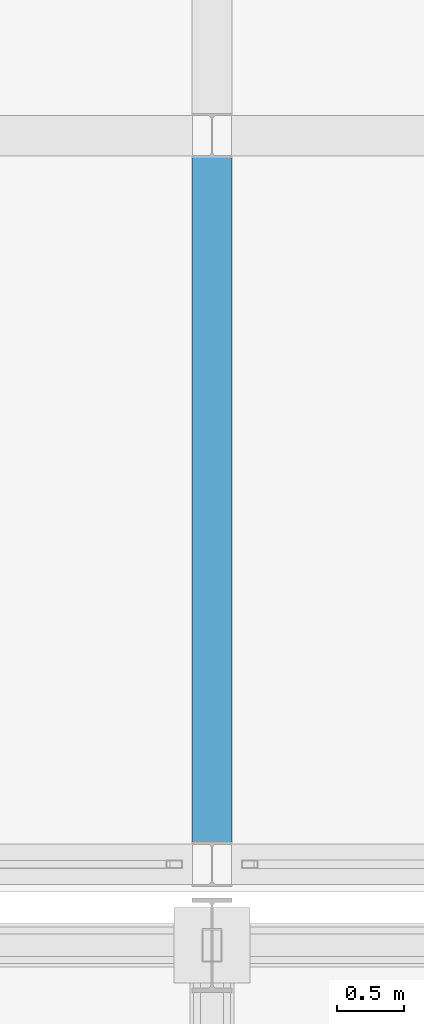
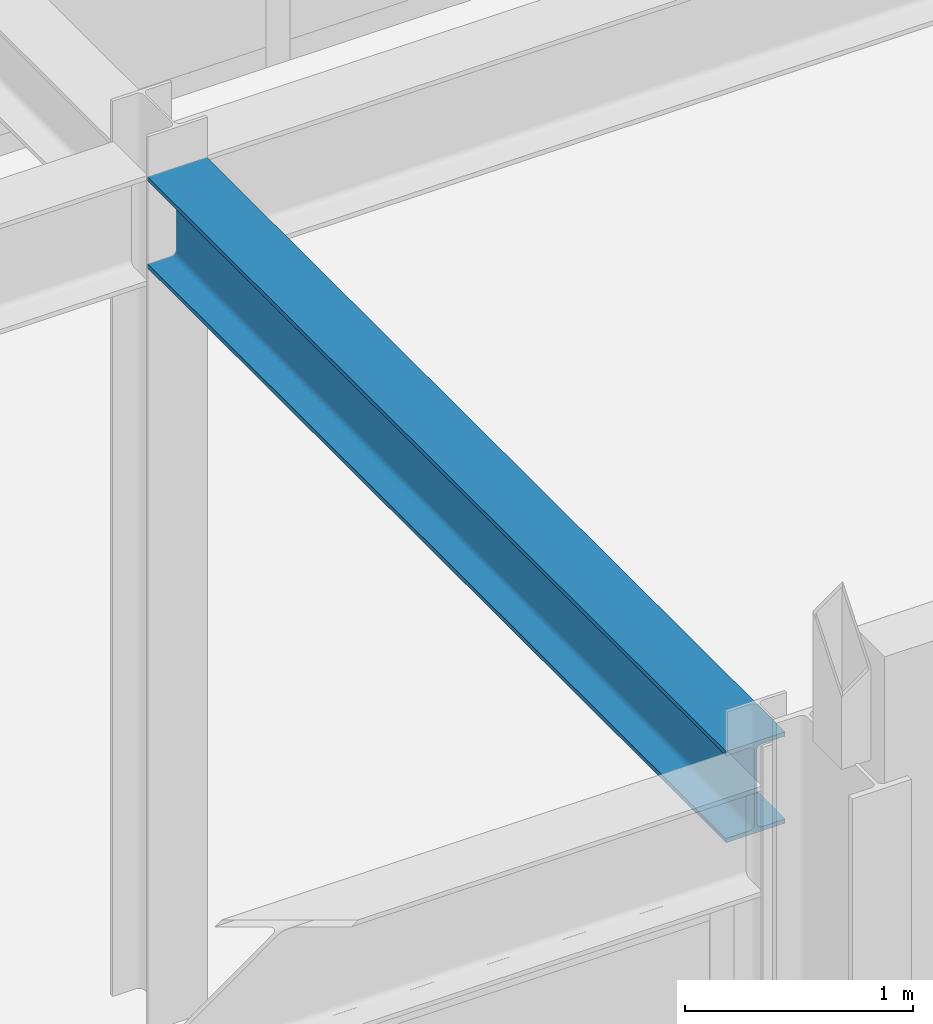
# One storey, part 66 of 112: 1 beam.
"""IFC4 building model written with IfcOpenShell, lengths in metres."""

from ifc_helpers import new_model, si_unit, direction, frame, origin, origin_2d, place, context, subcontext, project, spatial, i_section, extrude, material, material_profile, profile_set, type_object, element, save


model = new_model("IFC4")

# Units and contexts
model_context = context("Model", 3, precision=1e-05, world=origin(), true_north=direction((0.0, 1.0)))
body_context = subcontext(model_context, "Body", "Model", "MODEL_VIEW")
ifc_project = project(units=[si_unit("LENGTHUNIT", "METRE"), si_unit("AREAUNIT", "SQUARE_METRE"), si_unit("VOLUMEUNIT", "CUBIC_METRE"), si_unit("PLANEANGLEUNIT", "RADIAN"), si_unit("MASSUNIT", "GRAM", prefix="KILO")], contexts=[model_context])

# Site, building, storey
site_placement = place(None, origin())
site = spatial("IfcSite", under=ifc_project, at=site_placement, CompositionType="ELEMENT")
building_placement = place(site_placement, origin())
building = spatial("IfcBuilding", under=site, at=building_placement, Name="Kaldris Quays Convention Centre", CompositionType="ELEMENT")
storey_placement = place(building_placement, frame((0.0, 0.0, 16.800048828125)))
storey = spatial("IfcBuildingStorey", under=building, at=storey_placement, Name="L03", CompositionType="ELEMENT", Elevation=16.800048828125)

# Beam
ifc_material = material(Name="Steel S355J2", Category="steel")
ifc_material_profile = material_profile(ifc_material, i_section(OverallWidth=0.300048828125, OverallDepth=0.489990234375, WebThickness=0.011962890625, FlangeThickness=0.02294921875, FilletRadius=0.027099609375, at=origin_2d()), Name="HEA 500")
ifc_profile_set = profile_set([ifc_material_profile], Name="Steel S355J2")
beam_type = type_object("IfcBeamType", Name="STRUCTURAL BEAM BM09", PredefinedType="BEAM", material=ifc_profile_set)
beam_placement = place(storey_placement, frame((174.0, 104.759033203125, 4.3369140625), z_axis=(0.0, 1.0, 0.0), x_axis=(-1.0, 0.0, 0.0)))
element("IfcBeam", 1, at=beam_placement, inside=storey, type_object=beam_type, Name="L03 Girder BM09 104", PredefinedType="BEAM", context=body_context, shape_type="SweptSolid", body=[
    extrude(i_section(OverallWidth=0.300048828125, OverallDepth=0.489990234375, WebThickness=0.011962890625, FlangeThickness=0.02294921875, FilletRadius=0.027099609375, at=origin_2d()), origin(), (0.0, 0.0, 1.0), 5.08203125),
])

save(model, "model.ifc")
